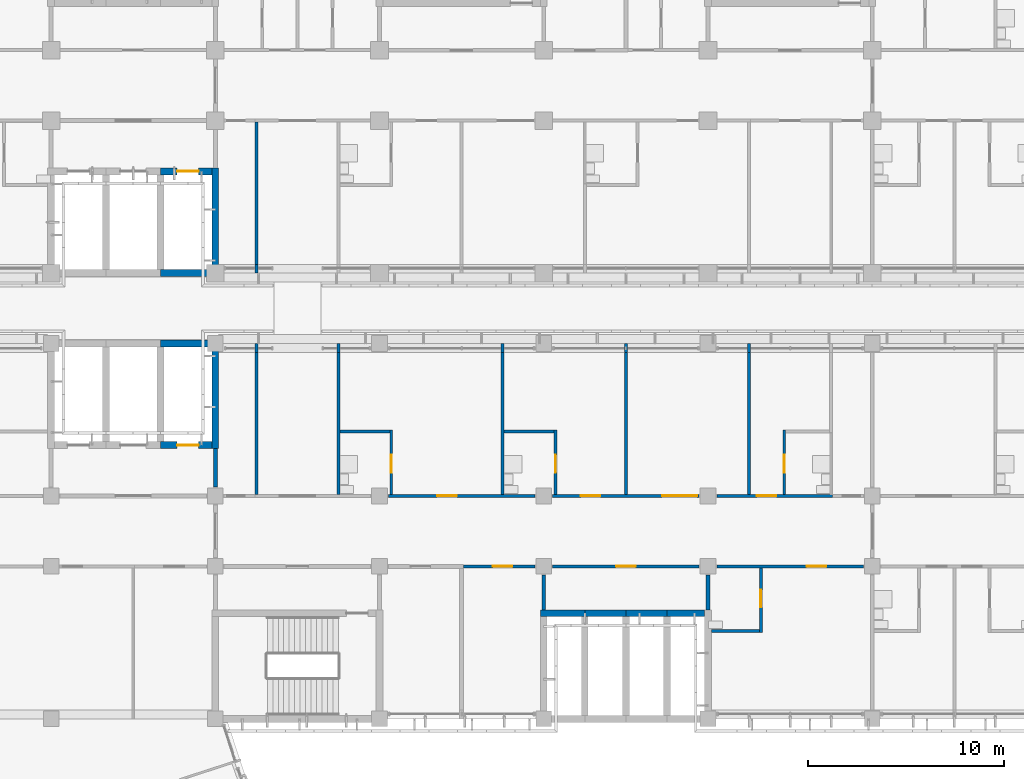
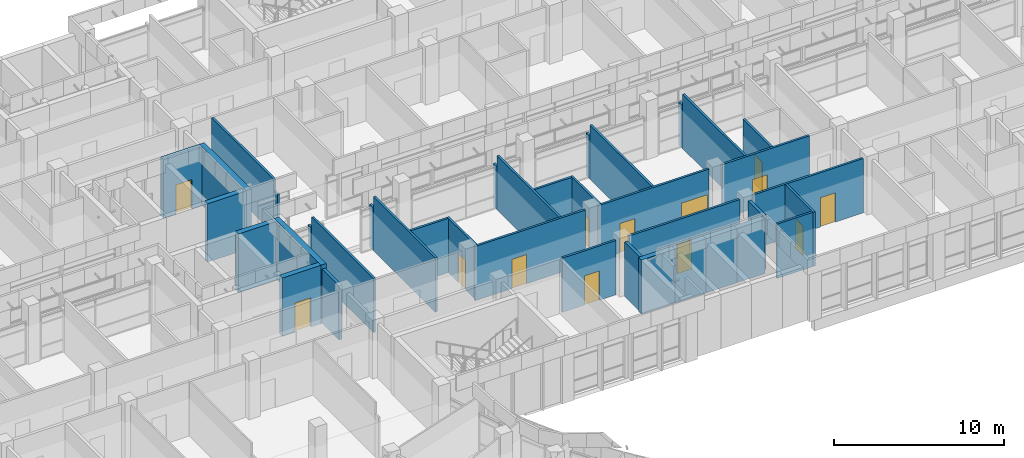
# One storey, part 76 of 137: 38 walls, 13 doors, 13 openings.
"""IFC4 building model written with IfcOpenShell, lengths in metres."""

from ifc_helpers import new_model, si_unit, direction, frame, frame_2d, origin, place, context, subcontext, project, spatial, rectangle, extrude, material, layer, layer_set, type_object, element, fill, save


model = new_model("IFC4")

# Units and contexts
model_context = context("Model", 3, precision=1e-05, world=origin(), true_north=direction((0.0, 1.0)))
body_context = subcontext(model_context, "Body", "Model", "MODEL_VIEW")
ifc_project = project(units=[si_unit("LENGTHUNIT", "METRE"), si_unit("AREAUNIT", "SQUARE_METRE"), si_unit("VOLUMEUNIT", "CUBIC_METRE"), si_unit("PLANEANGLEUNIT", "RADIAN"), si_unit("MASSUNIT", "GRAM", prefix="KILO")], contexts=[model_context])

# Site, building, storey
site_placement = place(None, origin())
site = spatial("IfcSite", under=ifc_project, at=site_placement, CompositionType="ELEMENT")
building_placement = place(site_placement, origin())
building = spatial("IfcBuilding", under=site, at=building_placement, Name="Bougainvillea Quay General Hospital", CompositionType="ELEMENT")
storey_placement = place(building_placement, frame((0.0, 0.0, 16.800048828125)))
storey = spatial("IfcBuildingStorey", under=building, at=storey_placement, Name="L03", CompositionType="ELEMENT", Elevation=16.800048828125)

# Walls
ifc_material_1 = material(Name="Gypsum board partition on steel studs, insulated", Category="steel")
ifc_layer_1 = layer(ifc_material_1, 0.14990234375)
ifc_layer_set_1 = layer_set([ifc_layer_1], Name="Gypsum board partition on steel studs, insulated")
wall_type_1 = type_object("IfcWallType", Name="Partition 150 Gypsum board partition", PredefinedType="PARTITIONING", material=ifc_layer_set_1)
wall_1_placement = place(storey_placement, frame((90.300048828125, 129.074951171875, 0.0), z_axis=(0.0, 0.0, 1.0), x_axis=(0.0, 1.0, 0.0)))
element("IfcWall", 1, at=wall_1_placement, inside=storey, type_object=wall_type_1, Name="Partition 150 mm", PredefinedType="PARTITIONING", context=body_context, shape_type="SweptSolid", body=[
    extrude(rectangle(XDim=7.275146484375, YDim=0.14990234375, at=frame_2d((3.6376953125, 0.0))), origin(), (0.0, 0.0, 1.0), 3.89990234375),
])
wall_2_placement = place(storey_placement, frame((90.300048828125, 136.35009765625, 0.0), z_axis=(0.0, 0.0, 1.0), x_axis=(0.0, 1.0, 0.0)))
element("IfcWall", 2, at=wall_2_placement, inside=storey, type_object=wall_type_1, Name="Partition 150 mm", PredefinedType="PARTITIONING", context=body_context, shape_type="SweptSolid", body=[
    extrude(rectangle(XDim=0.449951171875, YDim=0.14990234375, at=frame_2d((0.22509765625, 0.0))), origin(), (0.0, 0.0, 1.0), 3.079833984375),
])
wall_3_placement = place(storey_placement, frame((96.60009765625, 129.074951171875, 0.0), z_axis=(0.0, 0.0, 1.0), x_axis=(0.0, 1.0, 0.0)))
element("IfcWall", 3, at=wall_3_placement, inside=storey, type_object=wall_type_1, Name="Partition 150 mm", PredefinedType="PARTITIONING", context=body_context, shape_type="SweptSolid", body=[
    extrude(rectangle(XDim=7.275146484375, YDim=0.14990234375, at=frame_2d((3.6376953125, 0.0))), origin(), (0.0, 0.0, 1.0), 3.89990234375),
])
wall_4_placement = place(storey_placement, frame((96.60009765625, 136.35009765625, 0.0), z_axis=(0.0, 0.0, 1.0), x_axis=(0.0, 1.0, 0.0)))
element("IfcWall", 4, at=wall_4_placement, inside=storey, type_object=wall_type_1, Name="Partition 150 mm", PredefinedType="PARTITIONING", context=body_context, shape_type="SweptSolid", body=[
    extrude(rectangle(XDim=0.449951171875, YDim=0.14990234375, at=frame_2d((0.22509765625, 0.0))), origin(), (0.0, 0.0, 1.0), 3.079833984375),
])
wall_5_placement = place(storey_placement, frame((102.89990234375, 129.074951171875, 0.0), z_axis=(0.0, 0.0, 1.0), x_axis=(0.0, 1.0, 0.0)))
element("IfcWall", 5, at=wall_5_placement, inside=storey, type_object=wall_type_1, Name="Partition 150 mm", PredefinedType="PARTITIONING", context=body_context, shape_type="SweptSolid", body=[
    extrude(rectangle(XDim=7.275146484375, YDim=0.14990234375, at=frame_2d((3.6376953125, 0.0))), origin(), (0.0, 0.0, 1.0), 3.89990234375),
])
wall_6_placement = place(storey_placement, frame((102.89990234375, 136.35009765625, 0.0), z_axis=(0.0, 0.0, 1.0), x_axis=(0.0, 1.0, 0.0)))
element("IfcWall", 6, at=wall_6_placement, inside=storey, type_object=wall_type_1, Name="Partition 150 mm", PredefinedType="PARTITIONING", context=body_context, shape_type="SweptSolid", body=[
    extrude(rectangle(XDim=0.449951171875, YDim=0.14990234375, at=frame_2d((0.22509765625, 0.0))), origin(), (0.0, 0.0, 1.0), 3.079833984375),
])

# Wall, opening, door
wall_7_placement = place(storey_placement, frame((84.60009765625, 129.074951171875, 0.0), z_axis=(0.0, 0.0, 1.0), x_axis=(0.0, 1.0, 0.0)))
wall_7 = element("IfcWall", 7, at=wall_7_placement, inside=storey, type_object=wall_type_1, Name="Partition 150 mm", PredefinedType="PARTITIONING", context=body_context, shape_type="SweptSolid", body=[
    extrude(rectangle(XDim=3.300048828125, YDim=0.14990234375, at=frame_2d((1.64990234375, 0.0))), origin(), (0.0, 0.0, 1.0), 3.89990234375),
])
opening_1_placement = place(wall_7_placement, frame((1.125, 0.0, 0.0)))
opening_1 = element("IfcOpeningElement", 8, at=opening_1_placement, cuts=wall_7, Name="Opening L03.091", PredefinedType="OPENING", context=body_context, shape_type="SweptSolid", body=[
    extrude(rectangle(XDim=0.89990234375, YDim=2.10009765625, at=frame_2d((0.449951171875, 1.050048828125))), frame((0.0, 0.0849609375, 0.0), z_axis=(0.0, -1.0, 0.0), x_axis=(1.0, 0.0, 0.0)), (0.0, 0.0, 1.0), 0.169921875),
])
ifc_material_2 = material(Name="Solid-core timber door leaf in steel frame", Category="steel")
door_type_1 = type_object("IfcDoorType", Name="Single leaf door 900x2100", OperationType="NOTDEFINED", PredefinedType="DOOR", material=ifc_material_2)
door_1_placement = place(opening_1_placement, origin())
door_1 = element("IfcDoor", 9, at=door_1_placement, inside=storey, type_object=door_type_1, Name="DT07 L03.091", OperationType="SINGLE_SWING_LEFT", OverallHeight=2.10009765625, OverallWidth=0.89990234375, PredefinedType="DOOR", context=body_context, shape_type="SweptSolid", body=[
    extrude(rectangle(XDim=0.89990234375, YDim=2.10009765625, at=frame_2d((0.449951171875, 1.050048828125))), frame((0.0, 0.02490234375, 0.0), z_axis=(0.0, -1.0, 0.0), x_axis=(1.0, 0.0, 0.0)), (0.0, 0.0, 1.0), 0.050048828125),
])
fill(opening_1, door_1)

wall_8_placement = place(storey_placement, frame((93.0, 129.074951171875, 0.0), z_axis=(0.0, 0.0, 1.0), x_axis=(0.0, 1.0, 0.0)))
wall_8 = element("IfcWall", 10, at=wall_8_placement, inside=storey, type_object=wall_type_1, Name="Partition 150 mm", PredefinedType="PARTITIONING", context=body_context, shape_type="SweptSolid", body=[
    extrude(rectangle(XDim=3.300048828125, YDim=0.14990234375, at=frame_2d((1.64990234375, 0.0))), origin(), (0.0, 0.0, 1.0), 3.89990234375),
])
opening_2_placement = place(wall_8_placement, frame((1.125, 0.0, 0.0)))
opening_2 = element("IfcOpeningElement", 11, at=opening_2_placement, cuts=wall_8, Name="Opening L03.093", PredefinedType="OPENING", context=body_context, shape_type="SweptSolid", body=[
    extrude(rectangle(XDim=0.89990234375, YDim=2.10009765625, at=frame_2d((0.449951171875, 1.050048828125))), frame((0.0, 0.0849609375, 0.0), z_axis=(0.0, -1.0, 0.0), x_axis=(1.0, 0.0, 0.0)), (0.0, 0.0, 1.0), 0.169921875),
])
door_2_placement = place(opening_2_placement, origin())
door_2 = element("IfcDoor", 12, at=door_2_placement, inside=storey, type_object=door_type_1, Name="DT07 L03.093", OperationType="SINGLE_SWING_LEFT", OverallHeight=2.10009765625, OverallWidth=0.89990234375, PredefinedType="DOOR", context=body_context, shape_type="SweptSolid", body=[
    extrude(rectangle(XDim=0.89990234375, YDim=2.10009765625, at=frame_2d((0.449951171875, 1.050048828125))), frame((0.0, 0.02490234375, 0.0), z_axis=(0.0, -1.0, 0.0), x_axis=(1.0, 0.0, 0.0)), (0.0, 0.0, 1.0), 0.050048828125),
])
fill(opening_2, door_2)

wall_9_placement = place(storey_placement, frame((103.5, 122.02490234375, 0.0), z_axis=(0.0, 0.0, 1.0), x_axis=(0.0, 1.0, 0.0)))
wall_9 = element("IfcWall", 13, at=wall_9_placement, inside=storey, type_object=wall_type_1, Name="Partition 150 mm", PredefinedType="PARTITIONING", context=body_context, shape_type="SweptSolid", body=[
    extrude(rectangle(XDim=3.300048828125, YDim=0.14990234375, at=frame_2d((1.64990234375, 0.0))), origin(), (0.0, 0.0, 1.0), 3.89990234375),
])
opening_3_placement = place(wall_9_placement, frame((1.27490234375, 0.0, 0.0)))
opening_3 = element("IfcOpeningElement", 14, at=opening_3_placement, cuts=wall_9, Name="Opening L03.100", PredefinedType="OPENING", context=body_context, shape_type="SweptSolid", body=[
    extrude(rectangle(XDim=0.89990234375, YDim=2.10009765625, at=frame_2d((0.449951171875, 1.050048828125))), frame((0.0, 0.0849609375, 0.0), z_axis=(0.0, -1.0, 0.0), x_axis=(1.0, 0.0, 0.0)), (0.0, 0.0, 1.0), 0.169921875),
])
door_3_placement = place(opening_3_placement, origin())
door_3 = element("IfcDoor", 15, at=door_3_placement, inside=storey, type_object=door_type_1, Name="DT07 L03.100", OperationType="SINGLE_SWING_RIGHT", OverallHeight=2.10009765625, OverallWidth=0.89990234375, PredefinedType="DOOR", context=body_context, shape_type="SweptSolid", body=[
    extrude(rectangle(XDim=0.89990234375, YDim=2.10009765625, at=frame_2d((0.449951171875, 1.050048828125))), frame((0.0, 0.02490234375, 0.0), z_axis=(0.0, -1.0, 0.0), x_axis=(1.0, 0.0, 0.0)), (0.0, 0.0, 1.0), 0.050048828125),
])
fill(opening_3, door_3)

wall_10_placement = place(storey_placement, frame((104.699951171875, 129.074951171875, 0.0), z_axis=(0.0, 0.0, 1.0), x_axis=(0.0, 1.0, 0.0)))
wall_10 = element("IfcWall", 16, at=wall_10_placement, inside=storey, type_object=wall_type_1, Name="Partition 150 mm", PredefinedType="PARTITIONING", context=body_context, shape_type="SweptSolid", body=[
    extrude(rectangle(XDim=3.300048828125, YDim=0.14990234375, at=frame_2d((1.64990234375, 0.0))), origin(), (0.0, 0.0, 1.0), 3.89990234375),
])
opening_4_placement = place(wall_10_placement, frame((1.125, 0.0, 0.0)))
opening_4 = element("IfcOpeningElement", 17, at=opening_4_placement, cuts=wall_10, Name="Opening L03.096", PredefinedType="OPENING", context=body_context, shape_type="SweptSolid", body=[
    extrude(rectangle(XDim=0.89990234375, YDim=2.10009765625, at=frame_2d((0.449951171875, 1.050048828125))), frame((0.0, 0.0849609375, 0.0), z_axis=(0.0, -1.0, 0.0), x_axis=(1.0, 0.0, 0.0)), (0.0, 0.0, 1.0), 0.169921875),
])
door_4_placement = place(opening_4_placement, frame((0.89990234375, 0.0, 0.0), z_axis=(0.0, 0.0, 1.0), x_axis=(-1.0, 0.0, 0.0)))
door_4 = element("IfcDoor", 18, at=door_4_placement, inside=storey, type_object=door_type_1, Name="DT07 L03.096", OperationType="SINGLE_SWING_RIGHT", OverallHeight=2.10009765625, OverallWidth=0.89990234375, PredefinedType="DOOR", context=body_context, shape_type="SweptSolid", body=[
    extrude(rectangle(XDim=0.89990234375, YDim=2.10009765625, at=frame_2d((0.449951171875, 1.050048828125))), frame((0.0, 0.02490234375, 0.0), z_axis=(0.0, -1.0, 0.0), x_axis=(1.0, 0.0, 0.0)), (0.0, 0.0, 1.0), 0.050048828125),
])
fill(opening_4, door_4)

# Walls
wall_11_placement = place(storey_placement, frame((90.375, 132.300048828125, 0.0), z_axis=(0.0, 0.0, 1.0), x_axis=(1.0, 0.0, 0.0)))
element("IfcWall", 19, at=wall_11_placement, inside=storey, type_object=wall_type_1, Name="Partition 150 mm", PredefinedType="PARTITIONING", context=body_context, shape_type="SweptSolid", body=[
    extrude(rectangle(XDim=2.550048828125, YDim=0.14990234375, at=frame_2d((1.27490234375, 0.0))), origin(), (0.0, 0.0, 1.0), 3.89990234375),
])
wall_12_placement = place(storey_placement, frame((100.97509765625, 122.10009765625, 0.0), z_axis=(0.0, 0.0, 1.0), x_axis=(1.0, 0.0, 0.0)))
element("IfcWall", 20, at=wall_12_placement, inside=storey, type_object=wall_type_1, Name="Partition 150 mm", PredefinedType="PARTITIONING", context=body_context, shape_type="SweptSolid", body=[
    extrude(rectangle(XDim=2.449951171875, YDim=0.14990234375, at=frame_2d((1.22509765625, 0.0))), origin(), (0.0, 0.0, 1.0), 3.89990234375),
])
wall_13_placement = place(storey_placement, frame((81.97509765625, 132.300048828125, 0.0), z_axis=(0.0, 0.0, 1.0), x_axis=(1.0, 0.0, 0.0)))
element("IfcWall", 21, at=wall_13_placement, inside=storey, type_object=wall_type_1, Name="Partition 150 mm", PredefinedType="PARTITIONING", context=body_context, shape_type="SweptSolid", body=[
    extrude(rectangle(XDim=2.5498046875, YDim=0.14990234375, at=frame_2d((1.27490234375, 0.0))), origin(), (0.0, 0.0, 1.0), 3.89990234375),
])

# Wall, opening, door
ifc_layer_2 = layer(ifc_material_1, 0.14990234375)
ifc_layer_set_2 = layer_set([ifc_layer_2], Name="Gypsum board partition on steel studs, insulated")
wall_type_2 = type_object("IfcWallType", Name="Partition 150 Gypsum board partition EI 30", PredefinedType="PARTITIONING", material=ifc_layer_set_2)
wall_14_placement = place(storey_placement, frame((107.175048828125, 129.0, 0.0), z_axis=(0.0, 0.0, 1.0), x_axis=(-1.0, 0.0, 0.0)))
wall_14 = element("IfcWall", 22, at=wall_14_placement, inside=storey, type_object=wall_type_2, Name="Partition 150 mm EI 30", PredefinedType="PARTITIONING", context=body_context, shape_type="SweptSolid", body=[
    extrude(rectangle(XDim=5.925048828125, YDim=0.14990234375, at=frame_2d((2.96240234375, 0.0))), origin(), (0.0, 0.0, 1.0), 3.89990234375),
])
opening_5_placement = place(wall_14_placement, frame((2.875, 0.0, 0.0)))
opening_5 = element("IfcOpeningElement", 23, at=opening_5_placement, cuts=wall_14, Name="Opening L03.095", PredefinedType="OPENING", context=body_context, shape_type="SweptSolid", body=[
    extrude(rectangle(XDim=1.0, YDim=2.10009765625, at=frame_2d((0.5, 1.050048828125))), frame((0.0, 0.0849609375, 0.0), z_axis=(0.0, -1.0, 0.0), x_axis=(1.0, 0.0, 0.0)), (0.0, 0.0, 1.0), 0.169921875),
])
door_type_2 = type_object("IfcDoorType", Name="Single leaf door 1000x2100 FD30S", OperationType="NOTDEFINED", PredefinedType="DOOR", material=ifc_material_2)
door_5_placement = place(opening_5_placement, frame((1.0, 0.0, 0.0), z_axis=(0.0, 0.0, 1.0), x_axis=(-1.0, 0.0, 0.0)))
door_5 = element("IfcDoor", 24, at=door_5_placement, inside=storey, type_object=door_type_2, Name="DT15 L03.095", OperationType="SINGLE_SWING_LEFT", OverallHeight=2.10009765625, OverallWidth=1.0, PredefinedType="DOOR", context=body_context, shape_type="SweptSolid", body=[
    extrude(rectangle(XDim=1.0, YDim=2.10009765625, at=frame_2d((0.5, 1.050048828125))), frame((0.0, 0.02490234375, 0.0), z_axis=(0.0, -1.0, 0.0), x_axis=(1.0, 0.0, 0.0)), (0.0, 0.0, 1.0), 0.050048828125),
])
fill(opening_5, door_5)

# Wall, openings, doors
wall_15_placement = place(storey_placement, frame((100.35009765625, 129.0, 0.0), z_axis=(0.0, 0.0, 1.0), x_axis=(-1.0, 0.0, 0.0)))
wall_15 = element("IfcWall", 25, at=wall_15_placement, inside=storey, type_object=wall_type_2, Name="Partition 150 mm EI 30", PredefinedType="PARTITIONING", context=body_context, shape_type="SweptSolid", body=[
    extrude(rectangle(XDim=7.5, YDim=0.14990234375, at=frame_2d((3.75, 0.0))), origin(), (0.0, 0.0, 1.0), 3.89990234375),
])
opening_6_placement = place(wall_15_placement, frame((5.050048828125, 0.0, 0.0)))
opening_6 = element("IfcOpeningElement", 26, at=opening_6_placement, cuts=wall_15, Name="Opening L03.092", PredefinedType="OPENING", context=body_context, shape_type="SweptSolid", body=[
    extrude(rectangle(XDim=1.0, YDim=2.10009765625, at=frame_2d((0.5, 1.050048828125))), frame((0.0, 0.0849609375, 0.0), z_axis=(0.0, -1.0, 0.0), x_axis=(1.0, 0.0, 0.0)), (0.0, 0.0, 1.0), 0.169921875),
])
opening_7_placement = place(wall_15_placement, frame((0.10009765625, 0.0, 0.0)))
opening_7 = element("IfcOpeningElement", 27, at=opening_7_placement, cuts=wall_15, Name="Opening L03.094", PredefinedType="OPENING", context=body_context, shape_type="SweptSolid", body=[
    extrude(rectangle(XDim=1.800048828125, YDim=2.10009765625, at=frame_2d((0.89990234375, 1.050048828125))), frame((0.0, 0.0849609375, 0.0), z_axis=(0.0, -1.0, 0.0), x_axis=(1.0, 0.0, 0.0)), (0.0, 0.0, 1.0), 0.169921875),
])
ifc_material_3 = material(Name="Solid-core timber door leaves in steel frame", Category="steel")
door_type_3 = type_object("IfcDoorType", Name="Double leaf door 1800x2100 FD30S", OperationType="DOUBLE_DOOR_SINGLE_SWING", PredefinedType="DOOR", material=ifc_material_3)
door_6_placement = place(opening_7_placement, frame((1.800048828125, 0.0, 0.0), z_axis=(0.0, 0.0, 1.0), x_axis=(-1.0, 0.0, 0.0)))
door_6 = element("IfcDoor", 28, at=door_6_placement, inside=storey, type_object=door_type_3, Name="DT17 L03.094", OperationType="DOUBLE_DOOR_SINGLE_SWING", OverallHeight=2.10009765625, OverallWidth=1.800048828125, PredefinedType="DOOR", context=body_context, shape_type="SweptSolid", body=[
    extrude(rectangle(XDim=1.800048828125, YDim=2.10009765625, at=frame_2d((0.89990234375, 1.050048828125))), frame((0.0, 0.02490234375, 0.0), z_axis=(0.0, -1.0, 0.0), x_axis=(1.0, 0.0, 0.0)), (0.0, 0.0, 1.0), 0.050048828125),
])
fill(opening_7, door_6)
door_7_placement = place(opening_6_placement, frame((1.0, 0.0, 0.0), z_axis=(0.0, 0.0, 1.0), x_axis=(-1.0, 0.0, 0.0)))
door_7 = element("IfcDoor", 29, at=door_7_placement, inside=storey, type_object=door_type_2, Name="DT15 L03.092", OperationType="SINGLE_SWING_LEFT", OverallHeight=2.10009765625, OverallWidth=1.0, PredefinedType="DOOR", context=body_context, shape_type="SweptSolid", body=[
    extrude(rectangle(XDim=1.0, YDim=2.10009765625, at=frame_2d((0.5, 1.050048828125))), frame((0.0, 0.02490234375, 0.0), z_axis=(0.0, -1.0, 0.0), x_axis=(1.0, 0.0, 0.0)), (0.0, 0.0, 1.0), 0.050048828125),
])
fill(opening_6, door_7)

# Wall, opening, door
wall_16_placement = place(storey_placement, frame((91.949951171875, 129.0, 0.0), z_axis=(0.0, 0.0, 1.0), x_axis=(-1.0, 0.0, 0.0)))
wall_16 = element("IfcWall", 30, at=wall_16_placement, inside=storey, type_object=wall_type_2, Name="Partition 150 mm EI 30", PredefinedType="PARTITIONING", context=body_context, shape_type="SweptSolid", body=[
    extrude(rectangle(XDim=7.5, YDim=0.14990234375, at=frame_2d((3.75, 0.0))), origin(), (0.0, 0.0, 1.0), 3.89990234375),
])
opening_8_placement = place(wall_16_placement, frame((4.0, 0.0, 0.0)))
opening_8 = element("IfcOpeningElement", 31, at=opening_8_placement, cuts=wall_16, Name="Opening L03.090", PredefinedType="OPENING", context=body_context, shape_type="SweptSolid", body=[
    extrude(rectangle(XDim=1.0, YDim=2.10009765625, at=frame_2d((0.5, 1.050048828125))), frame((0.0, 0.0849609375, 0.0), z_axis=(0.0, -1.0, 0.0), x_axis=(1.0, 0.0, 0.0)), (0.0, 0.0, 1.0), 0.169921875),
])
door_8_placement = place(opening_8_placement, frame((1.0, 0.0, 0.0), z_axis=(0.0, 0.0, 1.0), x_axis=(-1.0, 0.0, 0.0)))
door_8 = element("IfcDoor", 32, at=door_8_placement, inside=storey, type_object=door_type_2, Name="DT15 L03.090", OperationType="SINGLE_SWING_LEFT", OverallHeight=2.10009765625, OverallWidth=1.0, PredefinedType="DOOR", context=body_context, shape_type="SweptSolid", body=[
    extrude(rectangle(XDim=1.0, YDim=2.10009765625, at=frame_2d((0.5, 1.050048828125))), frame((0.0, 0.02490234375, 0.0), z_axis=(0.0, -1.0, 0.0), x_axis=(1.0, 0.0, 0.0)), (0.0, 0.0, 1.0), 0.050048828125),
])
fill(opening_8, door_8)

wall_17_placement = place(storey_placement, frame((108.75, 125.39990234375, 0.0), z_axis=(0.0, 0.0, 1.0), x_axis=(-1.0, 0.0, 0.0)))
wall_17 = element("IfcWall", 33, at=wall_17_placement, inside=storey, type_object=wall_type_2, Name="Partition 150 mm EI 30", PredefinedType="PARTITIONING", context=body_context, shape_type="SweptSolid", body=[
    extrude(rectangle(XDim=7.5, YDim=0.14990234375, at=frame_2d((3.75, 0.0))), origin(), (0.0, 0.0, 1.0), 3.89990234375),
])
opening_9_placement = place(wall_17_placement, frame((1.89990234375, 0.0, 0.0)))
opening_9 = element("IfcOpeningElement", 34, at=opening_9_placement, cuts=wall_17, Name="Opening L03.099", PredefinedType="OPENING", context=body_context, shape_type="SweptSolid", body=[
    extrude(rectangle(XDim=1.0, YDim=2.10009765625, at=frame_2d((0.5, 1.050048828125))), frame((0.0, 0.0849609375, 0.0), z_axis=(0.0, -1.0, 0.0), x_axis=(1.0, 0.0, 0.0)), (0.0, 0.0, 1.0), 0.169921875),
])
door_9_placement = place(opening_9_placement, origin())
door_9 = element("IfcDoor", 35, at=door_9_placement, inside=storey, type_object=door_type_2, Name="DT15 L03.099", OperationType="SINGLE_SWING_LEFT", OverallHeight=2.10009765625, OverallWidth=1.0, PredefinedType="DOOR", context=body_context, shape_type="SweptSolid", body=[
    extrude(rectangle(XDim=1.0, YDim=2.10009765625, at=frame_2d((0.5, 1.050048828125))), frame((0.0, 0.02490234375, 0.0), z_axis=(0.0, -1.0, 0.0), x_axis=(1.0, 0.0, 0.0)), (0.0, 0.0, 1.0), 0.050048828125),
])
fill(opening_9, door_9)

# Walls
wall_18_placement = place(storey_placement, frame((77.699951171875, 129.074951171875, 0.0), z_axis=(0.0, 0.0, 1.0), x_axis=(0.0, 1.0, 0.0)))
element("IfcWall", 36, at=wall_18_placement, inside=storey, type_object=wall_type_2, Name="Partition 150 mm EI 30", PredefinedType="PARTITIONING", context=body_context, shape_type="SweptSolid", body=[
    extrude(rectangle(XDim=7.275146484375, YDim=0.14990234375, at=frame_2d((3.6376953125, 0.0))), origin(), (0.0, 0.0, 1.0), 3.89990234375),
])
wall_19_placement = place(storey_placement, frame((77.699951171875, 136.35009765625, 0.0), z_axis=(0.0, 0.0, 1.0), x_axis=(0.0, 1.0, 0.0)))
element("IfcWall", 37, at=wall_19_placement, inside=storey, type_object=wall_type_2, Name="Partition 150 mm EI 30", PredefinedType="PARTITIONING", context=body_context, shape_type="SweptSolid", body=[
    extrude(rectangle(XDim=0.449951171875, YDim=0.14990234375, at=frame_2d((0.22509765625, 0.0))), origin(), (0.0, 0.0, 1.0), 3.079833984375),
])
wall_20_placement = place(storey_placement, frame((81.89990234375, 129.074951171875, 0.0), z_axis=(0.0, 0.0, 1.0), x_axis=(0.0, 1.0, 0.0)))
element("IfcWall", 38, at=wall_20_placement, inside=storey, type_object=wall_type_2, Name="Partition 150 mm EI 30", PredefinedType="PARTITIONING", context=body_context, shape_type="SweptSolid", body=[
    extrude(rectangle(XDim=7.275146484375, YDim=0.14990234375, at=frame_2d((3.6376953125, 0.0))), origin(), (0.0, 0.0, 1.0), 3.89990234375),
])
wall_21_placement = place(storey_placement, frame((81.89990234375, 136.35009765625, 0.0), z_axis=(0.0, 0.0, 1.0), x_axis=(0.0, 1.0, 0.0)))
element("IfcWall", 39, at=wall_21_placement, inside=storey, type_object=wall_type_2, Name="Partition 150 mm EI 30", PredefinedType="PARTITIONING", context=body_context, shape_type="SweptSolid", body=[
    extrude(rectangle(XDim=0.449951171875, YDim=0.14990234375, at=frame_2d((0.22509765625, 0.0))), origin(), (0.0, 0.0, 1.0), 3.079833984375),
])
wall_22_placement = place(storey_placement, frame((77.699951171875, 140.39990234375, 0.0), z_axis=(0.0, 0.0, 1.0), x_axis=(0.0, 1.0, 0.0)))
element("IfcWall", 40, at=wall_22_placement, inside=storey, type_object=wall_type_2, Name="Partition 150 mm EI 30", PredefinedType="PARTITIONING", context=body_context, shape_type="SweptSolid", body=[
    extrude(rectangle(XDim=0.4501953125, YDim=0.14990234375, at=frame_2d((0.22509765625, 0.0))), origin(), (0.0, 0.0, 1.0), 3.079833984375),
])
wall_23_placement = place(storey_placement, frame((77.699951171875, 140.85009765625, 0.0), z_axis=(0.0, 0.0, 1.0), x_axis=(0.0, 1.0, 0.0)))
element("IfcWall", 41, at=wall_23_placement, inside=storey, type_object=wall_type_2, Name="Partition 150 mm EI 30", PredefinedType="PARTITIONING", context=body_context, shape_type="SweptSolid", body=[
    extrude(rectangle(XDim=7.27490234375, YDim=0.14990234375, at=frame_2d((3.637451171875, 0.0))), origin(), (0.0, 0.0, 1.0), 3.89990234375),
])

# Wall, opening, door
ifc_layer_3 = layer(ifc_material_1, 0.14990234375)
ifc_layer_set_3 = layer_set([ifc_layer_3], Name="Gypsum board partition on steel studs, insulated")
wall_type_3 = type_object("IfcWallType", Name="Partition 150 Gypsum board partition EI 60", PredefinedType="PARTITIONING", material=ifc_layer_set_3)
wall_24_placement = place(storey_placement, frame((92.85009765625, 125.39990234375, 0.0), z_axis=(0.0, 0.0, 1.0), x_axis=(1.0, 0.0, 0.0)))
wall_24 = element("IfcWall", 42, at=wall_24_placement, inside=storey, type_object=wall_type_3, Name="Partition 150 mm EI 60", PredefinedType="PARTITIONING", context=body_context, shape_type="SweptSolid", body=[
    extrude(rectangle(XDim=7.5, YDim=0.14990234375, at=frame_2d((3.75, 0.0))), origin(), (0.0, 0.0, 1.0), 3.89990234375),
])
opening_10_placement = place(wall_24_placement, frame((3.25, 0.0, 0.0)))
opening_10 = element("IfcOpeningElement", 43, at=opening_10_placement, cuts=wall_24, Name="Opening L03.138", PredefinedType="OPENING", context=body_context, shape_type="SweptSolid", body=[
    extrude(rectangle(XDim=1.0, YDim=2.10009765625, at=frame_2d((0.5, 1.050048828125))), frame((0.0, 0.0849609375, 0.0), z_axis=(0.0, -1.0, 0.0), x_axis=(1.0, 0.0, 0.0)), (0.0, 0.0, 1.0), 0.169921875),
])
ifc_material_4 = material(Name="Steel fire door leaf in steel frame", Category="steel")
door_type_4 = type_object("IfcDoorType", Name="Steel single leaf door 1000x2100 FD60", OperationType="NOTDEFINED", PredefinedType="DOOR", material=ifc_material_4)
door_10_placement = place(opening_10_placement, frame((1.0, 0.0, 0.0), z_axis=(0.0, 0.0, 1.0), x_axis=(-1.0, 0.0, 0.0)))
door_10 = element("IfcDoor", 44, at=door_10_placement, inside=storey, type_object=door_type_4, Name="DT10 L03.138", OperationType="SINGLE_SWING_RIGHT", OverallHeight=2.10009765625, OverallWidth=1.0, PredefinedType="DOOR", context=body_context, shape_type="SweptSolid", body=[
    extrude(rectangle(XDim=1.0, YDim=2.10009765625, at=frame_2d((0.5, 1.050048828125))), frame((0.0, 0.02490234375, 0.0), z_axis=(0.0, -1.0, 0.0), x_axis=(1.0, 0.0, 0.0)), (0.0, 0.0, 1.0), 0.050048828125),
])
fill(opening_10, door_10)

wall_25_placement = place(storey_placement, frame((88.300048828125, 125.39990234375, 0.0), z_axis=(0.0, 0.0, 1.0), x_axis=(1.0, 0.0, 0.0)))
wall_25 = element("IfcWall", 45, at=wall_25_placement, inside=storey, type_object=wall_type_3, Name="Partition 150 mm EI 60", PredefinedType="PARTITIONING", context=body_context, shape_type="SweptSolid", body=[
    extrude(rectangle(XDim=3.64990234375, YDim=0.14990234375, at=frame_2d((1.824951171875, 0.0))), origin(), (0.0, 0.0, 1.0), 3.89990234375),
])
opening_11_placement = place(wall_25_placement, frame((1.5, 0.0, 0.0)))
opening_11 = element("IfcOpeningElement", 46, at=opening_11_placement, cuts=wall_25, Name="Opening L03.098", PredefinedType="OPENING", context=body_context, shape_type="SweptSolid", body=[
    extrude(rectangle(XDim=1.0, YDim=2.10009765625, at=frame_2d((0.5, 1.050048828125))), frame((0.0, 0.0849609375, 0.0), z_axis=(0.0, -1.0, 0.0), x_axis=(1.0, 0.0, 0.0)), (0.0, 0.0, 1.0), 0.169921875),
])
door_type_5 = type_object("IfcDoorType", Name="Single leaf door 1000x2100 FD60", OperationType="NOTDEFINED", PredefinedType="DOOR", material=ifc_material_2)
door_11_placement = place(opening_11_placement, frame((1.0, 0.0, 0.0), z_axis=(0.0, 0.0, 1.0), x_axis=(-1.0, 0.0, 0.0)))
door_11 = element("IfcDoor", 47, at=door_11_placement, inside=storey, type_object=door_type_5, Name="DT14 L03.098", OperationType="SINGLE_SWING_LEFT", OverallHeight=2.10009765625, OverallWidth=1.0, PredefinedType="DOOR", context=body_context, shape_type="SweptSolid", body=[
    extrude(rectangle(XDim=1.0, YDim=2.10009765625, at=frame_2d((0.5, 1.050048828125))), frame((0.0, 0.02490234375, 0.0), z_axis=(0.0, -1.0, 0.0), x_axis=(1.0, 0.0, 0.0)), (0.0, 0.0, 1.0), 0.050048828125),
])
fill(opening_11, door_11)

# Walls
ifc_material_5 = material(Name="Fire-rated autoclaved aerated block wall, plastered")
ifc_layer_4 = layer(ifc_material_5, 0.199951171875)
ifc_layer_set_4 = layer_set([ifc_layer_4], Name="Fire-rated autoclaved aerated block wall, plastered")
wall_type_4 = type_object("IfcWallType", Name="Partition 200 Fire-rated autoclaved aerated block wall EI 120", PredefinedType="SOLIDWALL", material=ifc_layer_set_4)
wall_26_placement = place(storey_placement, frame((75.60009765625, 131.425048828125, 0.0), z_axis=(0.0, 0.0, 1.0), x_axis=(0.0, -1.0, 0.0)))
element("IfcWall", 48, at=wall_26_placement, inside=storey, type_object=wall_type_4, Name="Partition 200 mm EI 120", PredefinedType="SOLIDWALL", context=body_context, shape_type="SweptSolid", body=[
    extrude(rectangle(XDim=1.97509765625, YDim=0.199951171875, at=frame_2d((0.987548828125, 0.0))), origin(), (0.0, 0.0, 1.0), 3.89990234375),
])
ifc_layer_5 = layer(ifc_material_5, 0.199951171875)
ifc_layer_set_5 = layer_set([ifc_layer_5], Name="Fire-rated autoclaved aerated block wall, plastered")
wall_type_5 = type_object("IfcWallType", Name="Partition 200 Fire-rated autoclaved aerated block wall EI 60", PredefinedType="SOLIDWALL", material=ifc_layer_set_5)
for number, where, z_axis, x_axis, name in (
    (49, (92.39990234375, 123.175048828125, 0.0), (0.0, 0.0, 1.0), (0.0, 1.0, 0.0), "Partition 200 mm EI 60"),
    (50, (100.800048828125, 123.175048828125, 0.0), (0.0, 0.0, 1.0), (0.0, 1.0, 0.0), "Partition 200 mm EI 60"),
):
    element("IfcWall", number, at=place(storey_placement, frame(where, z_axis=z_axis, x_axis=x_axis)), inside=storey, type_object=wall_type_5, Name=name, PredefinedType="SOLIDWALL", context=body_context, shape_type="SweptSolid", body=[
        extrude(rectangle(XDim=1.77490234375, YDim=0.199951171875, at=frame_2d((0.887451171875, 0.0))), origin(), (0.0, 0.0, 1.0), 3.89990234375),
    ])

# Wall, opening, door
ifc_material_6 = material(Name="Concrete C40", Category="concrete")
ifc_layer_6 = layer(ifc_material_6, 0.35009765625)
ifc_layer_set_6 = layer_set([ifc_layer_6], Name="Concrete C40")
wall_type_6 = type_object("IfcWallType", Name="RC SHEAR WALL 350 C40", PredefinedType="SHEAR", material=ifc_layer_set_6)
wall_27_placement = place(storey_placement, frame((72.800048828125, 131.60009765625, 0.0), z_axis=(0.0, 0.0, 1.0), x_axis=(1.0, 0.0, 0.0)))
wall_27 = element("IfcWall", 51, at=wall_27_placement, inside=storey, type_object=wall_type_6, Name="Shear wall L03", PredefinedType="SHEAR", context=body_context, shape_type="SweptSolid", body=[
    extrude(rectangle(XDim=2.625, YDim=0.35009765625, at=frame_2d((1.3125, 0.0))), origin(), (0.0, 0.0, 1.0), 4.199951171875),
])
opening_12_placement = place(wall_27_placement, frame((0.85009765625, 0.0, 0.0)))
opening_12 = element("IfcOpeningElement", 52, at=opening_12_placement, cuts=wall_27, Name="Opening LD-B1.3-L03", PredefinedType="OPENING", context=body_context, shape_type="SweptSolid", body=[
    extrude(rectangle(XDim=1.10009765625, YDim=2.10009765625, at=frame_2d((0.550048828125, 1.050048828125))), frame((0.0, 0.18505859375, 0.0), z_axis=(0.0, -1.0, 0.0), x_axis=(1.0, 0.0, 0.0)), (0.0, 0.0, 1.0), 0.3701171875),
])
ifc_material_7 = material(Name="Stainless steel centre-opening landing door", Category="steel")
door_type_6 = type_object("IfcDoorType", Name="Lift landing door 1100x2100 E 120", OperationType="DOUBLE_DOOR_SLIDING", PredefinedType="DOOR", material=ifc_material_7)
door_12_placement = place(opening_12_placement, origin())
door_12 = element("IfcDoor", 53, at=door_12_placement, inside=storey, type_object=door_type_6, Name="Lift landing door LB-B1-3 L03", OperationType="DOUBLE_DOOR_SLIDING", OverallHeight=2.10009765625, OverallWidth=1.10009765625, PredefinedType="DOOR", context=body_context, shape_type="SweptSolid", body=[
    extrude(rectangle(XDim=1.10009765625, YDim=2.10009765625, at=frame_2d((0.550048828125, 1.050048828125))), frame((0.0, 0.02490234375, 0.0), z_axis=(0.0, -1.0, 0.0), x_axis=(1.0, 0.0, 0.0)), (0.0, 0.0, 1.0), 0.050048828125),
])
fill(opening_12, door_12)

# Walls
for number, where, z_axis, x_axis, name in (
    (54, (72.800048828125, 136.800048828125, 0.0), (0.0, 0.0, 1.0), (1.0, 0.0, 0.0), "Shear wall L03"),
    (55, (72.800048828125, 140.39990234375, 0.0), (0.0, 0.0, 1.0), (1.0, 0.0, 0.0), "Shear wall L03"),
):
    element("IfcWall", number, at=place(storey_placement, frame(where, z_axis=z_axis, x_axis=x_axis)), inside=storey, type_object=wall_type_6, Name=name, PredefinedType="SHEAR", context=body_context, shape_type="SweptSolid", body=[
        extrude(rectangle(XDim=2.625, YDim=0.35009765625, at=frame_2d((1.3125, 0.0))), origin(), (0.0, 0.0, 1.0), 4.199951171875),
    ])

# Wall, opening, door
wall_28_placement = place(storey_placement, frame((72.800048828125, 145.60009765625, 0.0), z_axis=(0.0, 0.0, 1.0), x_axis=(1.0, 0.0, 0.0)))
wall_28 = element("IfcWall", 56, at=wall_28_placement, inside=storey, type_object=wall_type_6, Name="Shear wall L03", PredefinedType="SHEAR", context=body_context, shape_type="SweptSolid", body=[
    extrude(rectangle(XDim=2.625, YDim=0.35009765625, at=frame_2d((1.3125, 0.0))), origin(), (0.0, 0.0, 1.0), 4.199951171875),
])
opening_13_placement = place(wall_28_placement, frame((0.85009765625, 0.0, 0.0)))
opening_13 = element("IfcOpeningElement", 57, at=opening_13_placement, cuts=wall_28, Name="Opening LD-A1.3-L03", PredefinedType="OPENING", context=body_context, shape_type="SweptSolid", body=[
    extrude(rectangle(XDim=1.10009765625, YDim=2.10009765625, at=frame_2d((0.550048828125, 1.050048828125))), frame((0.0, 0.18505859375, 0.0), z_axis=(0.0, -1.0, 0.0), x_axis=(1.0, 0.0, 0.0)), (0.0, 0.0, 1.0), 0.3701171875),
])
door_13_placement = place(opening_13_placement, origin())
door_13 = element("IfcDoor", 58, at=door_13_placement, inside=storey, type_object=door_type_6, Name="Lift landing door LB-A1-3 L03", OperationType="DOUBLE_DOOR_SLIDING", OverallHeight=2.10009765625, OverallWidth=1.10009765625, PredefinedType="DOOR", context=body_context, shape_type="SweptSolid", body=[
    extrude(rectangle(XDim=1.10009765625, YDim=2.10009765625, at=frame_2d((0.550048828125, 1.050048828125))), frame((0.0, 0.02490234375, 0.0), z_axis=(0.0, -1.0, 0.0), x_axis=(1.0, 0.0, 0.0)), (0.0, 0.0, 1.0), 0.050048828125),
])
fill(opening_13, door_13)

# Walls
wall_29_placement = place(storey_placement, frame((75.60009765625, 131.425048828125, 0.0), z_axis=(0.0, 0.0, 1.0), x_axis=(0.0, 1.0, 0.0)))
element("IfcWall", 59, at=wall_29_placement, inside=storey, type_object=wall_type_6, Name="Shear wall L03", PredefinedType="SHEAR", context=body_context, shape_type="SweptSolid", body=[
    extrude(rectangle(XDim=5.550048828125, YDim=0.35009765625, at=frame_2d((2.77490234375, 0.0))), origin(), (0.0, 0.0, 1.0), 4.199951171875),
])
wall_30_placement = place(storey_placement, frame((75.60009765625, 140.22509765625, 0.0), z_axis=(0.0, 0.0, 1.0), x_axis=(0.0, 1.0, 0.0)))
element("IfcWall", 60, at=wall_30_placement, inside=storey, type_object=wall_type_6, Name="Shear wall L03", PredefinedType="SHEAR", context=body_context, shape_type="SweptSolid", body=[
    extrude(rectangle(XDim=5.5498046875, YDim=0.35009765625, at=frame_2d((2.77490234375, 0.0))), origin(), (0.0, 0.0, 1.0), 4.199951171875),
])
wall_31_placement = place(storey_placement, frame((92.22509765625, 123.0, 0.0), z_axis=(0.0, 0.0, 1.0), x_axis=(1.0, 0.0, 0.0)))
element("IfcWall", 61, at=wall_31_placement, inside=storey, type_object=wall_type_6, Name="Shear wall L03", PredefinedType="SHEAR", context=body_context, shape_type="SweptSolid", body=[
    extrude(rectangle(XDim=2.27490234375, YDim=0.35009765625, at=frame_2d((1.137451171875, 0.0))), origin(), (0.0, 0.0, 1.0), 3.89990234375),
])
wall_32_placement = place(storey_placement, frame((94.5, 123.0, 0.0), z_axis=(0.0, 0.0, 1.0), x_axis=(1.0, 0.0, 0.0)))
element("IfcWall", 62, at=wall_32_placement, inside=storey, type_object=wall_type_6, Name="Shear wall L03", PredefinedType="SHEAR", context=body_context, shape_type="SweptSolid", body=[
    extrude(rectangle(XDim=2.10009765625, YDim=0.35009765625, at=frame_2d((1.050048828125, 0.0))), origin(), (0.0, 0.0, 1.0), 3.89990234375),
])
wall_33_placement = place(storey_placement, frame((96.60009765625, 123.0, 0.0), z_axis=(0.0, 0.0, 1.0), x_axis=(1.0, 0.0, 0.0)))
element("IfcWall", 63, at=wall_33_placement, inside=storey, type_object=wall_type_6, Name="Shear wall L03", PredefinedType="SHEAR", context=body_context, shape_type="SweptSolid", body=[
    extrude(rectangle(XDim=2.099853515625, YDim=0.35009765625, at=frame_2d((1.0498046875, 0.0))), origin(), (0.0, 0.0, 1.0), 3.89990234375),
])
wall_34_placement = place(storey_placement, frame((98.699951171875, 123.0, 0.0), z_axis=(0.0, 0.0, 1.0), x_axis=(1.0, 0.0, 0.0)))
element("IfcWall", 64, at=wall_34_placement, inside=storey, type_object=wall_type_6, Name="Shear wall L03", PredefinedType="SHEAR", context=body_context, shape_type="SweptSolid", body=[
    extrude(rectangle(XDim=1.925048828125, YDim=0.35009765625, at=frame_2d((0.96240234375, 0.0))), origin(), (0.0, 0.0, 1.0), 3.89990234375),
])

save(model, "model.ifc")
